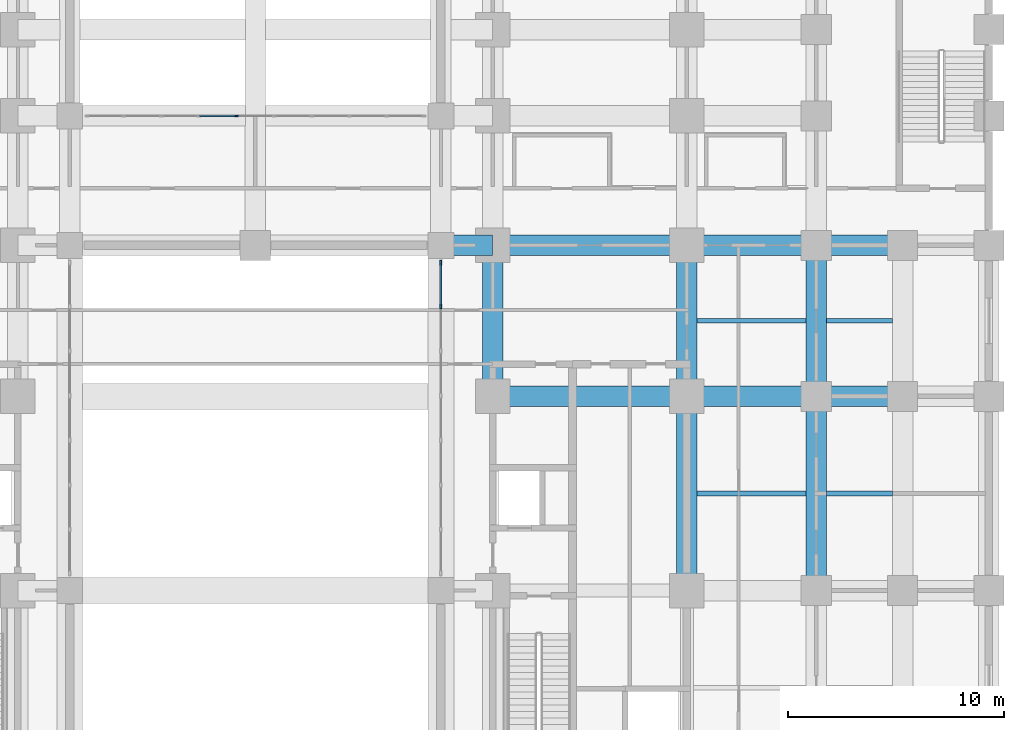
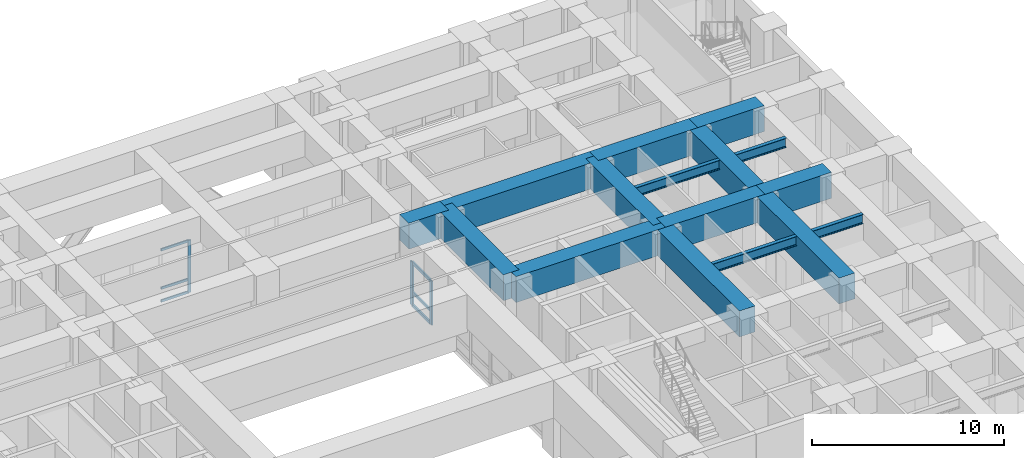
# One storey, part 7 of 24: 16 beams, 9 members, 2 elements without a shape of their own.
"""IFC4 building model written with IfcOpenShell, lengths in metres."""

from ifc_helpers import new_model, si_unit, direction, frame, origin, origin_2d, place, context, subcontext, project, spatial, rectangle, i_section, extrude, material, material_profile, profile_set, type_object, element, aggregate, save


model = new_model("IFC4")

# Units and contexts
model_context = context("Model", 3, precision=1e-05, world=origin(), true_north=direction((0.0, 1.0)))
body_context = subcontext(model_context, "Body", "Model", "MODEL_VIEW")
ifc_project = project(units=[si_unit("LENGTHUNIT", "METRE"), si_unit("AREAUNIT", "SQUARE_METRE"), si_unit("VOLUMEUNIT", "CUBIC_METRE"), si_unit("PLANEANGLEUNIT", "RADIAN"), si_unit("MASSUNIT", "GRAM", prefix="KILO")], contexts=[model_context])

# Site, building, storey
site_placement = place(None, origin())
site = spatial("IfcSite", under=ifc_project, at=site_placement, CompositionType="ELEMENT")
building_placement = place(site_placement, origin())
building = spatial("IfcBuilding", under=site, at=building_placement, Name="Zulmaris Gate Convention Tower", CompositionType="ELEMENT")
storey_placement = place(building_placement, frame((0.0, 0.0, 16.320068359375)))
storey = spatial("IfcBuildingStorey", under=building, at=storey_placement, Name="L03", CompositionType="ELEMENT", Elevation=16.320068359375)

# Beams
ifc_material_1 = material(Name="Concrete C80/95", Category="concrete")
ifc_material_profile_1 = material_profile(ifc_material_1, rectangle(XDim=0.949951171875, YDim=1.64990234375, at=origin_2d()), Name="RC TRANSFER 950x1650")
ifc_profile_set_1 = profile_set([ifc_material_profile_1], Name="Concrete C80/95")
beam_type_1 = type_object("IfcBeamType", Name="BM-XFER1650", PredefinedType="BEAM", material=ifc_profile_set_1)
beam_1_placement = place(storey_placement, frame((11.0, 9.0, 4.1650390625), z_axis=(0.0, 1.0, 0.0), x_axis=(-1.0, 0.0, 0.0)))
element("IfcBeam", 1, at=beam_1_placement, inside=storey, type_object=beam_type_1, Name="L03 Beam XFSPY-L03-+11.0-7", PredefinedType="BEAM", context=body_context, shape_type="SweptSolid", body=[
    extrude(rectangle(XDim=0.949951171875, YDim=1.64990234375, at=origin_2d()), origin(), (0.0, 0.0, 1.0), 7.0),
])
beam_2_placement = place(storey_placement, frame((20.0, 0.0, 4.1650390625), z_axis=(0.0, 1.0, 0.0), x_axis=(-1.0, 0.0, 0.0)))
element("IfcBeam", 2, at=beam_2_placement, inside=storey, type_object=beam_type_1, Name="L03 Beam XFSPY-L03-+20.0-6", PredefinedType="BEAM", context=body_context, shape_type="SweptSolid", body=[
    extrude(rectangle(XDim=0.949951171875, YDim=1.64990234375, at=origin_2d()), origin(), (0.0, 0.0, 1.0), 9.0),
])
beam_3_placement = place(storey_placement, frame((20.0, 9.0, 4.1650390625), z_axis=(0.0, 1.0, 0.0), x_axis=(-1.0, 0.0, 0.0)))
element("IfcBeam", 3, at=beam_3_placement, inside=storey, type_object=beam_type_1, Name="L03 Beam XFSPY-L03-+20.0-7", PredefinedType="BEAM", context=body_context, shape_type="SweptSolid", body=[
    extrude(rectangle(XDim=0.949951171875, YDim=1.64990234375, at=origin_2d()), origin(), (0.0, 0.0, 1.0), 7.0),
])
beam_4_placement = place(storey_placement, frame((26.0, 0.0, 4.1650390625), z_axis=(0.0, 1.0, 0.0), x_axis=(-1.0, 0.0, 0.0)))
element("IfcBeam", 4, at=beam_4_placement, inside=storey, type_object=beam_type_1, Name="L03 Beam XFSPY-L03-+26.0-6", PredefinedType="BEAM", context=body_context, shape_type="SweptSolid", body=[
    extrude(rectangle(XDim=0.949951171875, YDim=1.64990234375, at=origin_2d()), origin(), (0.0, 0.0, 1.0), 9.0),
])
beam_5_placement = place(storey_placement, frame((26.0, 9.0, 4.1650390625), z_axis=(0.0, 1.0, 0.0), x_axis=(-1.0, 0.0, 0.0)))
element("IfcBeam", 5, at=beam_5_placement, inside=storey, type_object=beam_type_1, Name="L03 Beam XFSPY-L03-+26.0-7", PredefinedType="BEAM", context=body_context, shape_type="SweptSolid", body=[
    extrude(rectangle(XDim=0.949951171875, YDim=1.64990234375, at=origin_2d()), origin(), (0.0, 0.0, 1.0), 7.0),
])
beam_6_placement = place(storey_placement, frame((11.0, 9.0, 4.1650390625), z_axis=(1.0, 0.0, 0.0), x_axis=(0.0, 1.0, 0.0)))
element("IfcBeam", 6, at=beam_6_placement, inside=storey, type_object=beam_type_1, Name="L03 Beam XFSPX-L03-+9.0-8", PredefinedType="BEAM", context=body_context, shape_type="SweptSolid", body=[
    extrude(rectangle(XDim=0.949951171875, YDim=1.64990234375, at=origin_2d()), origin(), (0.0, 0.0, 1.0), 9.0),
])
beam_7_placement = place(storey_placement, frame((20.0, 9.0, 4.1650390625), z_axis=(1.0, 0.0, 0.0), x_axis=(0.0, 1.0, 0.0)))
element("IfcBeam", 7, at=beam_7_placement, inside=storey, type_object=beam_type_1, Name="L03 Beam XFSPX-L03-+9.0-9", PredefinedType="BEAM", context=body_context, shape_type="SweptSolid", body=[
    extrude(rectangle(XDim=0.949951171875, YDim=1.64990234375, at=origin_2d()), origin(), (0.0, 0.0, 1.0), 6.0),
])
beam_8_placement = place(storey_placement, frame((26.0, 9.0, 4.1650390625), z_axis=(1.0, 0.0, 0.0), x_axis=(0.0, 1.0, 0.0)))
element("IfcBeam", 8, at=beam_8_placement, inside=storey, type_object=beam_type_1, Name="L03 Beam XFSPX-L03-+9.0-10", PredefinedType="BEAM", context=body_context, shape_type="SweptSolid", body=[
    extrude(rectangle(XDim=0.949951171875, YDim=1.64990234375, at=origin_2d()), origin(), (0.0, 0.0, 1.0), 4.0),
])
beam_9_placement = place(storey_placement, frame((8.60009765625, 16.0, 4.1650390625), z_axis=(1.0, 0.0, 0.0), x_axis=(0.0, 1.0, 0.0)))
element("IfcBeam", 9, at=beam_9_placement, inside=storey, type_object=beam_type_1, Name="L03 Beam XFSPX-L03-+16.0-8", PredefinedType="BEAM", context=body_context, shape_type="SweptSolid", body=[
    extrude(rectangle(XDim=0.949951171875, YDim=1.64990234375, at=origin_2d()), origin(), (0.0, 0.0, 1.0), 2.39990234375),
])
beam_10_placement = place(storey_placement, frame((11.0, 16.0, 4.1650390625), z_axis=(1.0, 0.0, 0.0), x_axis=(0.0, 1.0, 0.0)))
element("IfcBeam", 10, at=beam_10_placement, inside=storey, type_object=beam_type_1, Name="L03 Beam XFSPX-L03-+16.0-9", PredefinedType="BEAM", context=body_context, shape_type="SweptSolid", body=[
    extrude(rectangle(XDim=0.949951171875, YDim=1.64990234375, at=origin_2d()), origin(), (0.0, 0.0, 1.0), 9.0),
])
beam_11_placement = place(storey_placement, frame((20.0, 16.0, 4.1650390625), z_axis=(1.0, 0.0, 0.0), x_axis=(0.0, 1.0, 0.0)))
element("IfcBeam", 11, at=beam_11_placement, inside=storey, type_object=beam_type_1, Name="L03 Beam XFSPX-L03-+16.0-10", PredefinedType="BEAM", context=body_context, shape_type="SweptSolid", body=[
    extrude(rectangle(XDim=0.949951171875, YDim=1.64990234375, at=origin_2d()), origin(), (0.0, 0.0, 1.0), 6.0),
])
beam_12_placement = place(storey_placement, frame((26.0, 16.0, 4.1650390625), z_axis=(1.0, 0.0, 0.0), x_axis=(0.0, 1.0, 0.0)))
element("IfcBeam", 12, at=beam_12_placement, inside=storey, type_object=beam_type_1, Name="L03 Beam XFSPX-L03-+16.0-11", PredefinedType="BEAM", context=body_context, shape_type="SweptSolid", body=[
    extrude(rectangle(XDim=0.949951171875, YDim=1.64990234375, at=origin_2d()), origin(), (0.0, 0.0, 1.0), 4.0),
])

# Curtain wall, members
ifc_material_2 = material(Name="Anodised Aluminium", Category="aluminium")
curtain_wall_type_1 = type_object("IfcCurtainWallType", Name="CW-02", PredefinedType="NOTDEFINED", material=ifc_material_2)
curtain_wall_1_placement = place(storey_placement, origin())
curtain_wall_1 = element("IfcCurtainWall", 13, at=curtain_wall_1_placement, inside=storey, type_object=curtain_wall_type_1, Name="CW-02 CW02-L03-EL_0", PredefinedType="NOTDEFINED")
ifc_material_profile_2 = material_profile(ifc_material_2, rectangle(XDim=0.090087890625, YDim=0.219970703125, at=origin_2d()), Name="ALU MULLION 90x220")
ifc_profile_set_2 = profile_set([ifc_material_profile_2], Name="Anodised Aluminium")
member_type_1 = type_object("IfcMemberType", Name="CW-02-MULL", PredefinedType="MULLION", material=ifc_profile_set_2)
member_1_placement = place(storey_placement, frame((8.60009765625, 15.195068359375, 0.0), z_axis=(0.0, 0.0, 1.0), x_axis=(1.0, 0.0, 0.0)))
member_1 = element("IfcMember", 14, at=member_1_placement, type_object=member_type_1, Name="CW-02 mullion 1", PredefinedType="MULLION", context=body_context, shape_type="SweptSolid", body=[
    extrude(rectangle(XDim=0.090087890625, YDim=0.219970703125, at=origin_2d()), origin(), (0.0, 0.0, 1.0), 2.781982421875),
])
member_2_placement = place(storey_placement, frame((8.60009765625, 13.17138671875, 0.0), z_axis=(0.0, 0.0, 1.0), x_axis=(1.0, 0.0, 0.0)))
member_2 = element("IfcMember", 15, at=member_2_placement, type_object=member_type_1, Name="CW-02 mullion 2", PredefinedType="MULLION", context=body_context, shape_type="SweptSolid", body=[
    extrude(rectangle(XDim=0.090087890625, YDim=0.219970703125, at=origin_2d()), origin(), (0.0, 0.0, 1.0), 2.781982421875),
])
ifc_material_profile_3 = material_profile(ifc_material_2, rectangle(XDim=0.090087890625, YDim=0.179931640625, at=origin_2d()), Name="ALU TRANSOM 90x180")
ifc_profile_set_3 = profile_set([ifc_material_profile_3], Name="Anodised Aluminium")
member_type_2 = type_object("IfcMemberType", Name="CW-02-TRAN", PredefinedType="USERDEFINED", material=ifc_profile_set_3)
member_3_placement = place(storey_placement, frame((8.60009765625, 15.14990234375, 0.044921875), z_axis=(0.0, -1.0, 0.0), x_axis=(1.0, 0.0, 0.0)))
member_3 = element("IfcMember", 16, at=member_3_placement, type_object=member_type_2, Name="CW-02 transom 1.1", ObjectType="TRANSOM", PredefinedType="USERDEFINED", context=body_context, shape_type="SweptSolid", body=[
    extrude(rectangle(XDim=0.090087890625, YDim=0.179931640625, at=origin_2d()), origin(), (0.0, 0.0, 1.0), 1.93359375),
])
member_4_placement = place(storey_placement, frame((8.60009765625, 15.14990234375, 0.85009765625), z_axis=(0.0, -1.0, 0.0), x_axis=(1.0, 0.0, 0.0)))
member_4 = element("IfcMember", 17, at=member_4_placement, type_object=member_type_2, Name="CW-02 transom 1.2", ObjectType="TRANSOM", PredefinedType="USERDEFINED", context=body_context, shape_type="SweptSolid", body=[
    extrude(rectangle(XDim=0.090087890625, YDim=0.179931640625, at=origin_2d()), origin(), (0.0, 0.0, 1.0), 1.93359375),
])
member_5_placement = place(storey_placement, frame((8.60009765625, 15.14990234375, 2.73681640625), z_axis=(0.0, -1.0, 0.0), x_axis=(1.0, 0.0, 0.0)))
member_5 = element("IfcMember", 18, at=member_5_placement, type_object=member_type_2, Name="CW-02 transom 1.3", ObjectType="TRANSOM", PredefinedType="USERDEFINED", context=body_context, shape_type="SweptSolid", body=[
    extrude(rectangle(XDim=0.090087890625, YDim=0.179931640625, at=origin_2d()), origin(), (0.0, 0.0, 1.0), 1.93359375),
])
aggregate(curtain_wall_1, [member_1, member_2, member_3, member_4, member_5])

curtain_wall_type_2 = type_object("IfcCurtainWallType", Name="CW-03", PredefinedType="NOTDEFINED", material=ifc_material_2)
curtain_wall_2_placement = place(storey_placement, origin())
curtain_wall_2 = element("IfcCurtainWall", 19, at=curtain_wall_2_placement, inside=storey, type_object=curtain_wall_type_2, Name="CW-03 CW03-L03-NARCH_0", PredefinedType="NOTDEFINED")
ifc_material_profile_4 = material_profile(ifc_material_2, rectangle(XDim=0.074951171875, YDim=0.179931640625, at=origin_2d()), Name="ALU MULLION 75x180")
ifc_profile_set_4 = profile_set([ifc_material_profile_4], Name="Anodised Aluminium")
member_type_3 = type_object("IfcMemberType", Name="CW-03-MULL", PredefinedType="MULLION", material=ifc_profile_set_4)
member_6_placement = place(storey_placement, frame((-0.87109375, 22.0, 0.0), z_axis=(0.0, 0.0, 1.0), x_axis=(0.0, -1.0, 0.0)))
member_6 = element("IfcMember", 20, at=member_6_placement, type_object=member_type_3, Name="CW-03 mullion 6", PredefinedType="MULLION", context=body_context, shape_type="SweptSolid", body=[
    extrude(rectangle(XDim=0.074951171875, YDim=0.179931640625, at=origin_2d()), origin(), (0.0, 0.0, 1.0), 3.33203125),
])
ifc_material_profile_5 = material_profile(ifc_material_2, rectangle(XDim=0.074951171875, YDim=0.14990234375, at=origin_2d()), Name="ALU TRANSOM 75x150")
ifc_profile_set_5 = profile_set([ifc_material_profile_5], Name="Anodised Aluminium")
member_type_4 = type_object("IfcMemberType", Name="CW-03-TRAN", PredefinedType="USERDEFINED", material=ifc_profile_set_5)
member_7_placement = place(storey_placement, frame((-0.90869140625, 22.0, 0.03759765625), z_axis=(-1.0, 0.0, 0.0), x_axis=(0.0, -1.0, 0.0)))
member_7 = element("IfcMember", 21, at=member_7_placement, type_object=member_type_4, Name="CW-03 transom 6.1", ObjectType="TRANSOM", PredefinedType="USERDEFINED", context=body_context, shape_type="SweptSolid", body=[
    extrude(rectangle(XDim=0.074951171875, YDim=0.14990234375, at=origin_2d()), origin(), (0.0, 0.0, 1.0), 1.667236328125),
])
member_8_placement = place(storey_placement, frame((-0.90869140625, 22.0, 0.85009765625), z_axis=(-1.0, 0.0, 0.0), x_axis=(0.0, -1.0, 0.0)))
member_8 = element("IfcMember", 22, at=member_8_placement, type_object=member_type_4, Name="CW-03 transom 6.2", ObjectType="TRANSOM", PredefinedType="USERDEFINED", context=body_context, shape_type="SweptSolid", body=[
    extrude(rectangle(XDim=0.074951171875, YDim=0.14990234375, at=origin_2d()), origin(), (0.0, 0.0, 1.0), 1.667236328125),
])
member_9_placement = place(storey_placement, frame((-0.90869140625, 22.0, 3.29443359375), z_axis=(-1.0, 0.0, 0.0), x_axis=(0.0, -1.0, 0.0)))
member_9 = element("IfcMember", 23, at=member_9_placement, type_object=member_type_4, Name="CW-03 transom 6.3", ObjectType="TRANSOM", PredefinedType="USERDEFINED", context=body_context, shape_type="SweptSolid", body=[
    extrude(rectangle(XDim=0.074951171875, YDim=0.14990234375, at=origin_2d()), origin(), (0.0, 0.0, 1.0), 1.667236328125),
])
aggregate(curtain_wall_2, [member_6, member_7, member_8, member_9])

# Beams
ifc_material_3 = material(Name="Steel S355", Category="steel")
ifc_material_profile_6 = material_profile(ifc_material_3, i_section(OverallWidth=0.219970703125, OverallDepth=0.60009765625, WebThickness=0.011962890625, FlangeThickness=0.01904296875, FilletRadius=0.02392578125, at=origin_2d()), Name="IPE 600")
ifc_profile_set_6 = profile_set([ifc_material_profile_6], Name="Steel S355")
beam_type_2 = type_object("IfcBeamType", Name="JT-IPE600", PredefinedType="JOIST", material=ifc_profile_set_6)
for number, where, z_axis, x_axis, name in (
    (24, (20.47509765625, 4.5, 4.68798828125), (1.0, 0.0, 0.0), (0.0, 1.0, 0.0), "L03 Joist JT-L03-+20_+26-+4.5"),
    (25, (20.47509765625, 12.5, 4.68798828125), (1.0, 0.0, 0.0), (0.0, 1.0, 0.0), "L03 Joist JT-L03-+20_+26-+12.5"),
):
    element("IfcBeam", number, at=place(storey_placement, frame(where, z_axis=z_axis, x_axis=x_axis)), inside=storey, type_object=beam_type_2, Name=name, PredefinedType="JOIST", context=body_context, shape_type="SweptSolid", body=[
        extrude(i_section(OverallWidth=0.219970703125, OverallDepth=0.60009765625, WebThickness=0.011962890625, FlangeThickness=0.01904296875, FilletRadius=0.02392578125, at=origin_2d()), origin(), (0.0, 0.0, 1.0), 5.0498046875),
    ])
for number, where, z_axis, x_axis, name in (
    (26, (26.47509765625, 4.5, 4.68798828125), (1.0, 0.0, 0.0), (0.0, 1.0, 0.0), "L03 Joist JT-L03-+26_+30-+4.5"),
    (27, (26.47509765625, 12.5, 4.68798828125), (1.0, 0.0, 0.0), (0.0, 1.0, 0.0), "L03 Joist JT-L03-+26_+30-+12.5"),
):
    element("IfcBeam", number, at=place(storey_placement, frame(where, z_axis=z_axis, x_axis=x_axis)), inside=storey, type_object=beam_type_2, Name=name, PredefinedType="JOIST", context=body_context, shape_type="SweptSolid", body=[
        extrude(i_section(OverallWidth=0.219970703125, OverallDepth=0.60009765625, WebThickness=0.011962890625, FlangeThickness=0.01904296875, FilletRadius=0.02392578125, at=origin_2d()), origin(), (0.0, 0.0, 1.0), 3.0498046875),
    ])

save(model, "model.ifc")
